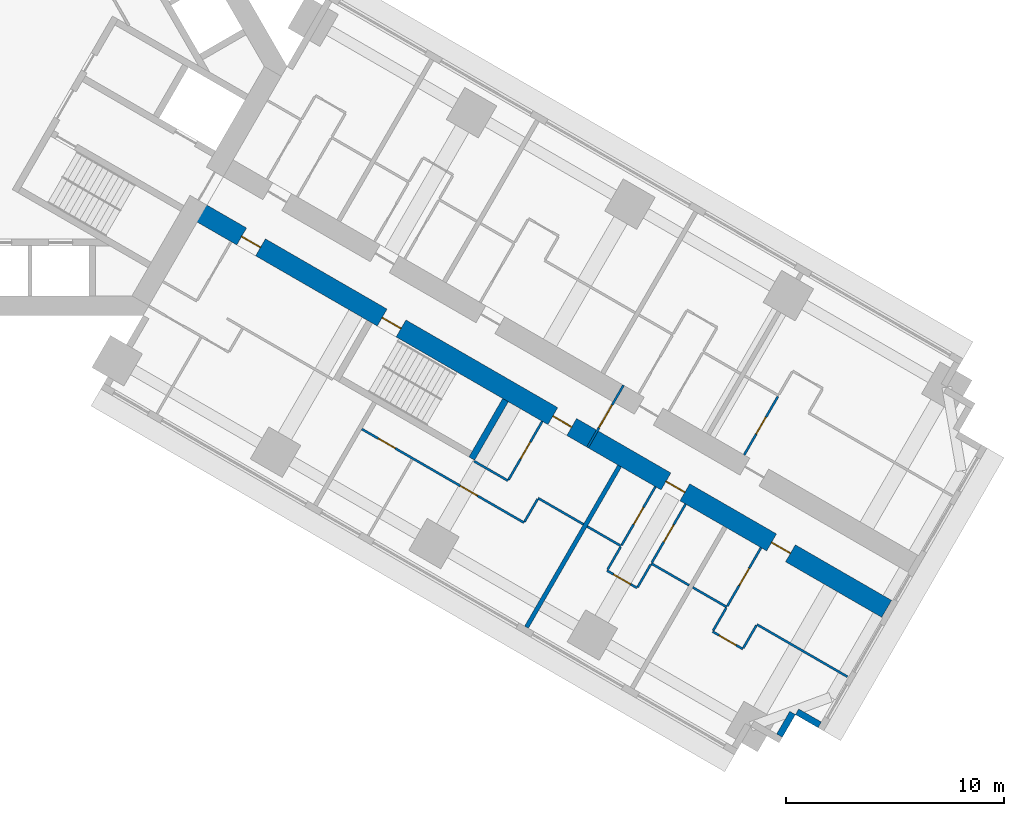
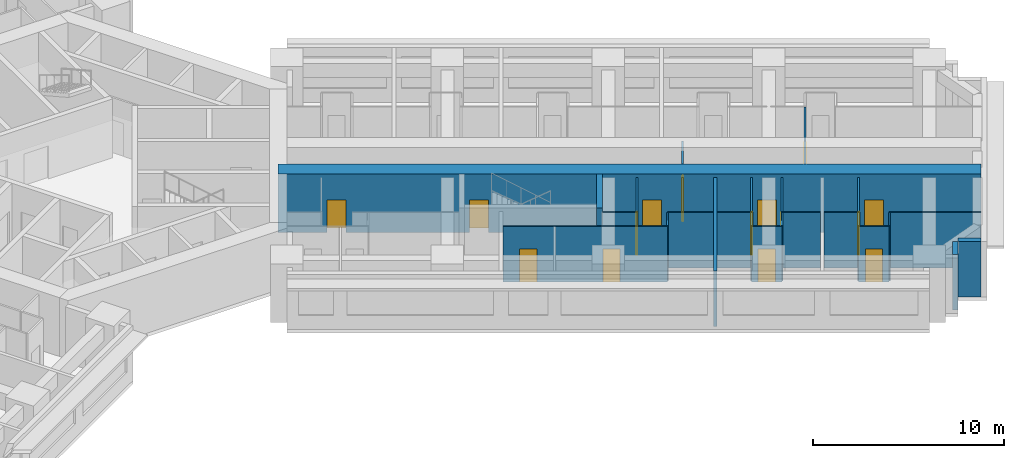
# One storey, part 12 of 17: 25 walls, 15 doors, 15 openings.
"""IFC4 building model written with IfcOpenShell, lengths in metres."""

from ifc_helpers import new_model, si_unit, direction, frame, frame_2d, origin, place, context, subcontext, project, spatial, rectangle, extrude, material, layer, layer_set, type_object, element, fill, save


model = new_model("IFC4")

# Units and contexts
model_context = context("Model", 3, precision=1e-05, world=origin(), true_north=direction((0.0, 1.0)))
body_context = subcontext(model_context, "Body", "Model", "MODEL_VIEW")
ifc_project = project(units=[si_unit("LENGTHUNIT", "METRE"), si_unit("AREAUNIT", "SQUARE_METRE"), si_unit("VOLUMEUNIT", "CUBIC_METRE"), si_unit("PLANEANGLEUNIT", "RADIAN"), si_unit("MASSUNIT", "GRAM", prefix="KILO")], contexts=[model_context])

# Site, building, storey
site_placement = place(None, origin())
site = spatial("IfcSite", under=ifc_project, at=site_placement, CompositionType="ELEMENT")
building_placement = place(site_placement, origin())
building = spatial("IfcBuilding", under=site, at=building_placement, Name="Impinga Residences", CompositionType="ELEMENT")
storey_placement = place(building_placement, frame((0.0, 0.0, 29.75)))
storey = spatial("IfcBuildingStorey", under=building, at=storey_placement, Name="L06", CompositionType="ELEMENT", Elevation=29.75)

# Wall, openings, doors
ifc_material_1 = material(Name="Concrete C70/85", Category="concrete")
ifc_layer_1 = layer(ifc_material_1, 0.89990234375)
ifc_layer_set_1 = layer_set([ifc_layer_1], Name="Concrete C70/85")
wall_type_1 = type_object("IfcWallType", Name="BW1 corridor buttress wall, L05 to L22 900", PredefinedType="SHEAR", material=ifc_layer_set_1)
wall_1_placement = place(storey_placement, frame((8.910400390625, -6.530029296875, 0.0), z_axis=(0.0, 0.0, 1.0), x_axis=(0.866025284237, -0.500000207062, 0.0)))
wall_1 = element("IfcWall", 1, at=wall_1_placement, inside=storey, type_object=wall_type_1, Name="Corridor wall BW1 ED L06", PredefinedType="SHEAR", context=body_context, shape_type="SweptSolid", body=[
    extrude(rectangle(XDim=36.75, YDim=0.89990234375, at=frame_2d((18.375, 0.0))), origin(), (0.0, 0.0, 1.0), 3.75),
])
opening_1_placement = place(wall_1_placement, frame((10.0, 0.0, 0.0)))
opening_1 = element("IfcOpeningElement", 2, at=opening_1_placement, cuts=wall_1, Name="Opening D5", PredefinedType="OPENING", context=body_context, shape_type="SweptSolid", body=[
    extrude(rectangle(XDim=1.0, YDim=2.10009765625, at=frame_2d((0.5, 1.050048828125))), frame((0.0, 0.4599609375, 0.0), z_axis=(0.0, -1.0, 0.0), x_axis=(1.0, 0.0, 0.0)), (0.0, 0.0, 1.0), 0.919921875),
])
opening_2_placement = place(wall_1_placement, frame((2.550048828125, 0.0, 0.0)))
opening_2 = element("IfcOpeningElement", 3, at=opening_2_placement, cuts=wall_1, Name="Opening D1", PredefinedType="OPENING", context=body_context, shape_type="SweptSolid", body=[
    extrude(rectangle(XDim=1.0, YDim=2.10009765625, at=frame_2d((0.5, 1.050048828125))), frame((0.0, 0.4599609375, 0.0), z_axis=(0.0, -1.0, 0.0), x_axis=(1.0, 0.0, 0.0)), (0.0, 0.0, 1.0), 0.919921875),
])
opening_3_placement = place(wall_1_placement, frame((19.050048828125, 0.0, 0.0)))
opening_3 = element("IfcOpeningElement", 4, at=opening_3_placement, cuts=wall_1, Name="Opening D1", PredefinedType="OPENING", context=body_context, shape_type="SweptSolid", body=[
    extrude(rectangle(XDim=1.0, YDim=2.10009765625, at=frame_2d((0.5, 1.050048828125))), frame((0.0, 0.4599609375, 0.0), z_axis=(0.0, -1.0, 0.0), x_axis=(1.0, 0.0, 0.0)), (0.0, 0.0, 1.0), 0.919921875),
])
opening_4_placement = place(wall_1_placement, frame((25.050048828125, 0.0, 0.0)))
opening_4 = element("IfcOpeningElement", 5, at=opening_4_placement, cuts=wall_1, Name="Opening D1", PredefinedType="OPENING", context=body_context, shape_type="SweptSolid", body=[
    extrude(rectangle(XDim=1.0, YDim=2.10009765625, at=frame_2d((0.5, 1.050048828125))), frame((0.0, 0.4599609375, 0.0), z_axis=(0.0, -1.0, 0.0), x_axis=(1.0, 0.0, 0.0)), (0.0, 0.0, 1.0), 0.919921875),
])
opening_5_placement = place(wall_1_placement, frame((30.64990234375, 0.0, 0.0)))
opening_5 = element("IfcOpeningElement", 6, at=opening_5_placement, cuts=wall_1, Name="Opening D1", PredefinedType="OPENING", context=body_context, shape_type="SweptSolid", body=[
    extrude(rectangle(XDim=1.0, YDim=2.10009765625, at=frame_2d((0.5, 1.050048828125))), frame((0.0, 0.4599609375, 0.0), z_axis=(0.0, -1.0, 0.0), x_axis=(1.0, 0.0, 0.0)), (0.0, 0.0, 1.0), 0.919921875),
])
ifc_material_2 = material(Name="Timber door set", Category="wood")
door_type_1 = type_object("IfcDoorType", Name="D1 apartment entrance door 1000x2100", OperationType="SINGLE_SWING_LEFT", PredefinedType="DOOR", material=ifc_material_2)
door_1_placement = place(opening_2_placement, origin())
door_1 = element("IfcDoor", 7, at=door_1_placement, inside=storey, type_object=door_type_1, Name="Apartment L06-EF1 entrance", OperationType="SINGLE_SWING_LEFT", OverallHeight=2.10009765625, OverallWidth=1.0, PredefinedType="DOOR", context=body_context, shape_type="SweptSolid", body=[
    extrude(rectangle(XDim=1.0, YDim=2.10009765625, at=frame_2d((0.5, 1.050048828125))), frame((0.0, 0.02490234375, 0.0), z_axis=(0.0, -1.0, 0.0), x_axis=(1.0, 0.0, 0.0)), (0.0, 0.0, 1.0), 0.050048828125),
])
fill(opening_2, door_1)
door_2_placement = place(opening_3_placement, origin())
door_2 = element("IfcDoor", 8, at=door_2_placement, inside=storey, type_object=door_type_1, Name="Apartment L06-EF2 entrance", OperationType="SINGLE_SWING_RIGHT", OverallHeight=2.10009765625, OverallWidth=1.0, PredefinedType="DOOR", context=body_context, shape_type="SweptSolid", body=[
    extrude(rectangle(XDim=1.0, YDim=2.10009765625, at=frame_2d((0.5, 1.050048828125))), frame((0.0, 0.02490234375, 0.0), z_axis=(0.0, -1.0, 0.0), x_axis=(1.0, 0.0, 0.0)), (0.0, 0.0, 1.0), 0.050048828125),
])
fill(opening_3, door_2)
door_3_placement = place(opening_4_placement, origin())
door_3 = element("IfcDoor", 9, at=door_3_placement, inside=storey, type_object=door_type_1, Name="Apartment L06-EF3 entrance", OperationType="SINGLE_SWING_RIGHT", OverallHeight=2.10009765625, OverallWidth=1.0, PredefinedType="DOOR", context=body_context, shape_type="SweptSolid", body=[
    extrude(rectangle(XDim=1.0, YDim=2.10009765625, at=frame_2d((0.5, 1.050048828125))), frame((0.0, 0.02490234375, 0.0), z_axis=(0.0, -1.0, 0.0), x_axis=(1.0, 0.0, 0.0)), (0.0, 0.0, 1.0), 0.050048828125),
])
fill(opening_4, door_3)
door_4_placement = place(opening_5_placement, origin())
door_4 = element("IfcDoor", 10, at=door_4_placement, inside=storey, type_object=door_type_1, Name="Apartment L06-EF4 entrance", OperationType="SINGLE_SWING_RIGHT", OverallHeight=2.10009765625, OverallWidth=1.0, PredefinedType="DOOR", context=body_context, shape_type="SweptSolid", body=[
    extrude(rectangle(XDim=1.0, YDim=2.10009765625, at=frame_2d((0.5, 1.050048828125))), frame((0.0, 0.02490234375, 0.0), z_axis=(0.0, -1.0, 0.0), x_axis=(1.0, 0.0, 0.0)), (0.0, 0.0, 1.0), 0.050048828125),
])
fill(opening_5, door_4)
door_type_2 = type_object("IfcDoorType", Name="D5 stair door 1000x2100", OperationType="SINGLE_SWING_LEFT", PredefinedType="DOOR", material=ifc_material_2)
door_5_placement = place(opening_1_placement, origin())
door_5 = element("IfcDoor", 11, at=door_5_placement, inside=storey, type_object=door_type_2, Name="Wing stair door E", OperationType="SINGLE_SWING_LEFT", OverallHeight=2.10009765625, OverallWidth=1.0, PredefinedType="DOOR", context=body_context, shape_type="SweptSolid", body=[
    extrude(rectangle(XDim=1.0, YDim=2.10009765625, at=frame_2d((0.5, 1.050048828125))), frame((0.0, 0.02490234375, 0.0), z_axis=(0.0, -1.0, 0.0), x_axis=(1.0, 0.0, 0.0)), (0.0, 0.0, 1.0), 0.050048828125),
])
fill(opening_1, door_5)

# Wall, opening, door
ifc_material_3 = material(Name="Concrete blockwork", Category="masonry")
ifc_layer_2 = layer(ifc_material_3, 0.10009765625)
ifc_layer_set_2 = layer_set([ifc_layer_2], Name="CP1 core room partition, blockwork 100")
wall_type_2 = type_object("IfcWallType", Name="CP1 core room partition, blockwork 100", PredefinedType="PARTITIONING", material=ifc_layer_set_2)
wall_2_placement = place(storey_placement, frame((28.652099609375, -14.636962890625, 0.0), z_axis=(0.0, 0.0, 1.0), x_axis=(-0.499974350878, -0.866040211805, 0.0)))
wall_2 = element("IfcWall", 12, at=wall_2_placement, inside=storey, type_object=wall_type_2, Name="Core room partition, blockwork L06:E:SCR", PredefinedType="PARTITIONING", context=body_context, shape_type="SweptSolid", body=[
    extrude(rectangle(XDim=3.300048828125, YDim=0.10009765625, at=frame_2d((1.64990234375, 0.0))), origin(), (0.0, 0.0, 1.0), 3.530029296875),
])
opening_6_placement = place(wall_2_placement, frame((1.050048828125, 0.0, 0.0)))
opening_6 = element("IfcOpeningElement", 13, at=opening_6_placement, cuts=wall_2, Name="Opening D3", PredefinedType="OPENING", context=body_context, shape_type="SweptSolid", body=[
    extrude(rectangle(XDim=1.199951171875, YDim=2.10009765625, at=frame_2d((0.60009765625, 1.050048828125))), frame((0.0, 0.06005859375, 0.0), z_axis=(0.0, -1.0, 0.0), x_axis=(1.0, 0.0, 0.0)), (0.0, 0.0, 1.0), 0.1201171875),
])
door_type_3 = type_object("IfcDoorType", Name="D3 room door, leaf and a half 1200x2100", OperationType="DOUBLE_SWING_LEFT", PredefinedType="DOOR", material=ifc_material_2)
door_6_placement = place(opening_6_placement, origin())
door_6 = element("IfcDoor", 14, at=door_6_placement, inside=storey, type_object=door_type_3, Name="Corridor smoke door E", OperationType="DOUBLE_SWING_LEFT", OverallHeight=2.10009765625, OverallWidth=1.199951171875, PredefinedType="DOOR", context=body_context, shape_type="SweptSolid", body=[
    extrude(rectangle(XDim=1.199951171875, YDim=2.10009765625, at=frame_2d((0.60009765625, 1.050048828125))), frame((0.0, 0.02490234375, 0.0), z_axis=(0.0, -1.0, 0.0), x_axis=(1.0, 0.0, 0.0)), (0.0, 0.0, 1.0), 0.050048828125),
])
fill(opening_6, door_6)

# Walls
ifc_material_4 = material(Name="Terracotta rainscreen on blockwork", Category="masonry")
ifc_layer_3 = layer(ifc_material_4, 0.300048828125)
ifc_layer_set_3 = layer_set([ifc_layer_3], Name="EW1 external wall, terracotta rainscreen on blockwork 300")
wall_type_3 = type_object("IfcWallType", Name="EW1 external wall, terracotta rainscreen on blockwork 300", PredefinedType="SOLIDWALL", material=ifc_layer_set_3)
wall_3_placement = place(storey_placement, frame((37.66162109375, -30.23095703125, 0.0), z_axis=(0.0, 0.0, 1.0), x_axis=(-0.866059708757, 0.499940577336, 0.0)))
element("IfcWall", 15, at=wall_3_placement, inside=storey, type_object=wall_type_3, Name="External wall EW1 L06", PredefinedType="SOLIDWALL", context=body_context, shape_type="SweptSolid", body=[
    extrude(rectangle(XDim=1.195068359375, YDim=0.300048828125, at=frame_2d((0.59765625, 0.0))), origin(), (0.0, 0.0, 1.0), 3.530029296875),
])
wall_4_placement = place(storey_placement, frame((36.41748046875, -29.68603515625, 0.0), z_axis=(0.0, 0.0, 1.0), x_axis=(-0.499969057507, -0.866043267704, 0.0)))
element("IfcWall", 16, at=wall_4_placement, inside=storey, type_object=wall_type_3, Name="External wall EW1 L06", PredefinedType="SOLIDWALL", context=body_context, shape_type="SweptSolid", body=[
    extrude(rectangle(XDim=1.19970703125, YDim=0.300048828125, at=frame_2d((0.599853515625, 0.0))), origin(), (0.0, 0.0, 1.0), 3.530029296875),
])

# Wall, opening, door
ifc_material_5 = material(Name="Gypsum board on steel studs", Category="steel")
ifc_layer_4 = layer(ifc_material_5, 0.10009765625)
ifc_layer_set_4 = layer_set([ifc_layer_4], Name="Gypsum board on steel studs")
wall_type_4 = type_object("IfcWallType", Name="IP1 partition 100", PredefinedType="PARTITIONING", material=ifc_layer_set_4)
wall_5_placement = place(storey_placement, frame((34.1943359375, -17.8369140625, 0.0), z_axis=(0.0, 0.0, 1.0), x_axis=(0.49999285859, 0.86602952684, 0.0)))
wall_5 = element("IfcWall", 17, at=wall_5_placement, inside=storey, type_object=wall_type_4, Name="Partition L06-EA5:IB1", PredefinedType="PARTITIONING", context=body_context, shape_type="SweptSolid", body=[
    extrude(rectangle(XDim=3.10009765625, YDim=0.10009765625, at=frame_2d((1.550048828125, 0.0))), origin(), (0.0, 0.0, 1.0), 3.530029296875),
])
opening_7_placement = place(wall_5_placement, frame((1.10009765625, 0.0, 0.0)))
opening_7 = element("IfcOpeningElement", 18, at=opening_7_placement, cuts=wall_5, Name="Opening D2", PredefinedType="OPENING", context=body_context, shape_type="SweptSolid", body=[
    extrude(rectangle(XDim=0.89990234375, YDim=2.10009765625, at=frame_2d((0.449951171875, 1.050048828125))), frame((0.0, 0.06005859375, 0.0), z_axis=(0.0, -1.0, 0.0), x_axis=(1.0, 0.0, 0.0)), (0.0, 0.0, 1.0), 0.1201171875),
])
door_type_4 = type_object("IfcDoorType", Name="D2 internal door 900x2100", OperationType="SINGLE_SWING_LEFT", PredefinedType="DOOR", material=ifc_material_2)
door_7_placement = place(opening_7_placement, origin())
door_7 = element("IfcDoor", 19, at=door_7_placement, inside=storey, type_object=door_type_4, Name="Apartment L06-EA5 bathroom door", OperationType="SINGLE_SWING_LEFT", OverallHeight=2.10009765625, OverallWidth=0.89990234375, PredefinedType="DOOR", context=body_context, shape_type="SweptSolid", body=[
    extrude(rectangle(XDim=0.89990234375, YDim=2.10009765625, at=frame_2d((0.449951171875, 1.050048828125))), frame((0.0, 0.02490234375, 0.0), z_axis=(0.0, -1.0, 0.0), x_axis=(1.0, 0.0, 0.0)), (0.0, 0.0, 1.0), 0.050048828125),
])
fill(opening_7, door_7)

# Walls
wall_6_placement = place(storey_placement, frame((21.789306640625, -18.122802734375, 0.0), z_axis=(0.0, 0.0, 1.0), x_axis=(0.866047807691, -0.499961193289, 0.0)))
element("IfcWall", 20, at=wall_6_placement, inside=storey, type_object=wall_type_4, Name="Partition L06-EF2:DIV0", PredefinedType="PARTITIONING", context=body_context, shape_type="SweptSolid", body=[
    extrude(rectangle(XDim=1.800048828125, YDim=0.10009765625, at=frame_2d((0.89990234375, 0.0))), origin(), (0.0, 0.0, 1.0), 3.530029296875),
])
wall_7_placement = place(storey_placement, frame((24.73388671875, -19.82275390625, 0.0), z_axis=(0.0, 0.0, 1.0), x_axis=(0.866024647952, -0.500001309137, 0.0)))
element("IfcWall", 21, at=wall_7_placement, inside=storey, type_object=wall_type_4, Name="Partition L06-EF2:DIV1", PredefinedType="PARTITIONING", context=body_context, shape_type="SweptSolid", body=[
    extrude(rectangle(XDim=2.39990234375, YDim=0.10009765625, at=frame_2d((1.199951171875, 0.0))), origin(), (0.0, 0.0, 1.0), 3.530029296875),
])

# Wall, openings, doors
wall_8_placement = place(storey_placement, frame((16.635986328125, -16.6484375, 0.0), z_axis=(0.0, 0.0, 1.0), x_axis=(0.866028165386, -0.499995216735, 0.0)))
wall_8 = element("IfcWall", 22, at=wall_8_placement, inside=storey, type_object=wall_type_4, Name="Partition L06-EF2:STRIP", PredefinedType="PARTITIONING", context=body_context, shape_type="SweptSolid", body=[
    extrude(rectangle(XDim=8.60009765625, YDim=0.10009765625, at=frame_2d((4.300048828125, 0.0))), origin(), (0.0, 0.0, 1.0), 3.530029296875),
])
opening_8_placement = place(wall_8_placement, frame((0.875, 0.0, 0.0)))
opening_8 = element("IfcOpeningElement", 23, at=opening_8_placement, cuts=wall_8, Name="Opening D2", PredefinedType="OPENING", context=body_context, shape_type="SweptSolid", body=[
    extrude(rectangle(XDim=0.89990234375, YDim=2.10009765625, at=frame_2d((0.449951171875, 1.050048828125))), frame((0.0, 0.06005859375, 0.0), z_axis=(0.0, -1.0, 0.0), x_axis=(1.0, 0.0, 0.0)), (0.0, 0.0, 1.0), 0.1201171875),
])
opening_9_placement = place(wall_8_placement, frame((5.22509765625, 0.0, 0.0)))
opening_9 = element("IfcOpeningElement", 24, at=opening_9_placement, cuts=wall_8, Name="Opening D2", PredefinedType="OPENING", context=body_context, shape_type="SweptSolid", body=[
    extrude(rectangle(XDim=0.89990234375, YDim=2.10009765625, at=frame_2d((0.449951171875, 1.050048828125))), frame((0.0, 0.06005859375, 0.0), z_axis=(0.0, -1.0, 0.0), x_axis=(1.0, 0.0, 0.0)), (0.0, 0.0, 1.0), 0.1201171875),
])
door_8_placement = place(opening_8_placement, origin())
door_8 = element("IfcDoor", 25, at=door_8_placement, inside=storey, type_object=door_type_4, Name="Apartment L06-EF2 room door", OperationType="SINGLE_SWING_LEFT", OverallHeight=2.10009765625, OverallWidth=0.89990234375, PredefinedType="DOOR", context=body_context, shape_type="SweptSolid", body=[
    extrude(rectangle(XDim=0.89990234375, YDim=2.10009765625, at=frame_2d((0.449951171875, 1.050048828125))), frame((0.0, 0.02490234375, 0.0), z_axis=(0.0, -1.0, 0.0), x_axis=(1.0, 0.0, 0.0)), (0.0, 0.0, 1.0), 0.050048828125),
])
fill(opening_8, door_8)
door_9_placement = place(opening_9_placement, origin())
door_9 = element("IfcDoor", 26, at=door_9_placement, inside=storey, type_object=door_type_4, Name="Apartment L06-EF2 room door", OperationType="SINGLE_SWING_RIGHT", OverallHeight=2.10009765625, OverallWidth=0.89990234375, PredefinedType="DOOR", context=body_context, shape_type="SweptSolid", body=[
    extrude(rectangle(XDim=0.89990234375, YDim=2.10009765625, at=frame_2d((0.449951171875, 1.050048828125))), frame((0.0, 0.02490234375, 0.0), z_axis=(0.0, -1.0, 0.0), x_axis=(1.0, 0.0, 0.0)), (0.0, 0.0, 1.0), 0.050048828125),
])
fill(opening_9, door_9)

# Wall
wall_9_placement = place(storey_placement, frame((24.708984375, -19.865966796875, 0.0), z_axis=(0.0, 0.0, 1.0), x_axis=(-0.500033551112, -0.866006032174, 0.0)))
element("IfcWall", 27, at=wall_9_placement, inside=storey, type_object=wall_type_4, Name="Partition L06-EF2:SE1", PredefinedType="PARTITIONING", context=body_context, shape_type="SweptSolid", body=[
    extrude(rectangle(XDim=1.2001953125, YDim=0.10009765625, at=frame_2d((0.60009765625, 0.0))), origin(), (0.0, 0.0, 1.0), 3.530029296875),
])

# Wall, opening, door
wall_10_placement = place(storey_placement, frame((24.92333984375, -16.294677734375, 0.0), z_axis=(0.0, 0.0, 1.0), x_axis=(-0.49999285859, -0.86602952684, 0.0)))
wall_10 = element("IfcWall", 28, at=wall_10_placement, inside=storey, type_object=wall_type_4, Name="Partition L06-EF2:IB1", PredefinedType="PARTITIONING", context=body_context, shape_type="SweptSolid", body=[
    extrude(rectangle(XDim=3.10009765625, YDim=0.10009765625, at=frame_2d((1.550048828125, 0.0))), origin(), (0.0, 0.0, 1.0), 3.530029296875),
])
opening_10_placement = place(wall_10_placement, frame((1.10009765625, 0.0, 0.0)))
opening_10 = element("IfcOpeningElement", 29, at=opening_10_placement, cuts=wall_10, Name="Opening D2", PredefinedType="OPENING", context=body_context, shape_type="SweptSolid", body=[
    extrude(rectangle(XDim=0.89990234375, YDim=2.10009765625, at=frame_2d((0.449951171875, 1.050048828125))), frame((0.0, 0.06005859375, 0.0), z_axis=(0.0, -1.0, 0.0), x_axis=(1.0, 0.0, 0.0)), (0.0, 0.0, 1.0), 0.1201171875),
])
door_10_placement = place(opening_10_placement, origin())
door_10 = element("IfcDoor", 30, at=door_10_placement, inside=storey, type_object=door_type_4, Name="Apartment L06-EF2 bathroom door", OperationType="SINGLE_SWING_LEFT", OverallHeight=2.10009765625, OverallWidth=0.89990234375, PredefinedType="DOOR", context=body_context, shape_type="SweptSolid", body=[
    extrude(rectangle(XDim=0.89990234375, YDim=2.10009765625, at=frame_2d((0.449951171875, 1.050048828125))), frame((0.0, 0.02490234375, 0.0), z_axis=(0.0, -1.0, 0.0), x_axis=(1.0, 0.0, 0.0)), (0.0, 0.0, 1.0), 0.050048828125),
])
fill(opening_10, door_10)

# Walls
wall_11_placement = place(storey_placement, frame((26.985595703125, -21.122802734375, 0.0), z_axis=(0.0, 0.0, 1.0), x_axis=(0.866047807691, -0.499961193289, 0.0)))
element("IfcWall", 31, at=wall_11_placement, inside=storey, type_object=wall_type_4, Name="Partition L06-EF3:DIV0", PredefinedType="PARTITIONING", context=body_context, shape_type="SweptSolid", body=[
    extrude(rectangle(XDim=1.800048828125, YDim=0.10009765625, at=frame_2d((0.89990234375, 0.0))), origin(), (0.0, 0.0, 1.0), 3.530029296875),
])
wall_12_placement = place(storey_placement, frame((29.93017578125, -22.82275390625, 0.0), z_axis=(0.0, 0.0, 1.0), x_axis=(0.866010750942, -0.50002537861, 0.0)))
element("IfcWall", 32, at=wall_12_placement, inside=storey, type_object=wall_type_4, Name="Partition L06-EF3:DIV1", PredefinedType="PARTITIONING", context=body_context, shape_type="SweptSolid", body=[
    extrude(rectangle(XDim=2.0, YDim=0.10009765625, at=frame_2d((1.0, 0.0))), origin(), (0.0, 0.0, 1.0), 3.530029296875),
])

# Wall, opening, door
wall_13_placement = place(storey_placement, frame((27.89453125, -23.1484375, 0.0), z_axis=(0.0, 0.0, 1.0), x_axis=(0.865989903783, -0.500061482766, 0.0)))
wall_13 = element("IfcWall", 33, at=wall_13_placement, inside=storey, type_object=wall_type_4, Name="Partition L06-EF3:STRIP", PredefinedType="PARTITIONING", context=body_context, shape_type="SweptSolid", body=[
    extrude(rectangle(XDim=1.599853515625, YDim=0.10009765625, at=frame_2d((0.7998046875, 0.0))), origin(), (0.0, 0.0, 1.0), 3.530029296875),
])
opening_11_placement = place(wall_13_placement, frame((0.35009765625, 0.0, 0.0)))
opening_11 = element("IfcOpeningElement", 34, at=opening_11_placement, cuts=wall_13, Name="Opening D2", PredefinedType="OPENING", context=body_context, shape_type="SweptSolid", body=[
    extrude(rectangle(XDim=0.89990234375, YDim=2.10009765625, at=frame_2d((0.449951171875, 1.050048828125))), frame((0.0, 0.06005859375, 0.0), z_axis=(0.0, -1.0, 0.0), x_axis=(1.0, 0.0, 0.0)), (0.0, 0.0, 1.0), 0.1201171875),
])
door_11_placement = place(opening_11_placement, origin())
door_11 = element("IfcDoor", 35, at=door_11_placement, inside=storey, type_object=door_type_4, Name="Apartment L06-EF3 room door", OperationType="SINGLE_SWING_LEFT", OverallHeight=2.10009765625, OverallWidth=0.89990234375, PredefinedType="DOOR", context=body_context, shape_type="SweptSolid", body=[
    extrude(rectangle(XDim=0.89990234375, YDim=2.10009765625, at=frame_2d((0.449951171875, 1.050048828125))), frame((0.0, 0.02490234375, 0.0), z_axis=(0.0, -1.0, 0.0), x_axis=(1.0, 0.0, 0.0)), (0.0, 0.0, 1.0), 0.050048828125),
])
fill(opening_11, door_11)

# Walls
wall_14_placement = place(storey_placement, frame((28.51953125, -22.06591796875, 0.0), z_axis=(0.0, 0.0, 1.0), x_axis=(-0.500033551112, -0.866006032174, 0.0)))
element("IfcWall", 36, at=wall_14_placement, inside=storey, type_object=wall_type_4, Name="Partition L06-EF3:SE0", PredefinedType="PARTITIONING", context=body_context, shape_type="SweptSolid", body=[
    extrude(rectangle(XDim=1.2001953125, YDim=0.10009765625, at=frame_2d((0.60009765625, 0.0))), origin(), (0.0, 0.0, 1.0), 3.530029296875),
])
wall_15_placement = place(storey_placement, frame((29.905029296875, -22.865966796875, 0.0), z_axis=(0.0, 0.0, 1.0), x_axis=(-0.499880961361, -0.866094119867, 0.0)))
element("IfcWall", 37, at=wall_15_placement, inside=storey, type_object=wall_type_4, Name="Partition L06-EF3:SE1", PredefinedType="PARTITIONING", context=body_context, shape_type="SweptSolid", body=[
    extrude(rectangle(XDim=1.199951171875, YDim=0.10009765625, at=frame_2d((0.60009765625, 0.0))), origin(), (0.0, 0.0, 1.0), 3.530029296875),
])

# Wall, opening, door
wall_16_placement = place(storey_placement, frame((30.119384765625, -19.294677734375, 0.0), z_axis=(0.0, 0.0, 1.0), x_axis=(-0.49999285859, -0.86602952684, 0.0)))
wall_16 = element("IfcWall", 38, at=wall_16_placement, inside=storey, type_object=wall_type_4, Name="Partition L06-EF3:IB1", PredefinedType="PARTITIONING", context=body_context, shape_type="SweptSolid", body=[
    extrude(rectangle(XDim=3.10009765625, YDim=0.10009765625, at=frame_2d((1.550048828125, 0.0))), origin(), (0.0, 0.0, 1.0), 3.530029296875),
])
opening_12_placement = place(wall_16_placement, frame((1.10009765625, 0.0, 0.0)))
opening_12 = element("IfcOpeningElement", 39, at=opening_12_placement, cuts=wall_16, Name="Opening D2", PredefinedType="OPENING", context=body_context, shape_type="SweptSolid", body=[
    extrude(rectangle(XDim=0.89990234375, YDim=2.10009765625, at=frame_2d((0.449951171875, 1.050048828125))), frame((0.0, 0.06005859375, 0.0), z_axis=(0.0, -1.0, 0.0), x_axis=(1.0, 0.0, 0.0)), (0.0, 0.0, 1.0), 0.1201171875),
])
door_12_placement = place(opening_12_placement, origin())
door_12 = element("IfcDoor", 40, at=door_12_placement, inside=storey, type_object=door_type_4, Name="Apartment L06-EF3 bathroom door", OperationType="SINGLE_SWING_LEFT", OverallHeight=2.10009765625, OverallWidth=0.89990234375, PredefinedType="DOOR", context=body_context, shape_type="SweptSolid", body=[
    extrude(rectangle(XDim=0.89990234375, YDim=2.10009765625, at=frame_2d((0.449951171875, 1.050048828125))), frame((0.0, 0.02490234375, 0.0), z_axis=(0.0, -1.0, 0.0), x_axis=(1.0, 0.0, 0.0)), (0.0, 0.0, 1.0), 0.050048828125),
])
fill(opening_12, door_12)

wall_17_placement = place(storey_placement, frame((31.505126953125, -20.0947265625, 0.0), z_axis=(0.0, 0.0, 1.0), x_axis=(-0.500026960575, -0.86600983753, 0.0)))
wall_17 = element("IfcWall", 41, at=wall_17_placement, inside=storey, type_object=wall_type_4, Name="Partition L06-EF3:IB2", PredefinedType="PARTITIONING", context=body_context, shape_type="SweptSolid", body=[
    extrude(rectangle(XDim=3.099853515625, YDim=0.10009765625, at=frame_2d((1.5498046875, 0.0))), origin(), (0.0, 0.0, 1.0), 3.530029296875),
])
opening_13_placement = place(wall_17_placement, frame((1.10009765625, 0.0, 0.0)))
opening_13 = element("IfcOpeningElement", 42, at=opening_13_placement, cuts=wall_17, Name="Opening D2", PredefinedType="OPENING", context=body_context, shape_type="SweptSolid", body=[
    extrude(rectangle(XDim=0.89990234375, YDim=2.10009765625, at=frame_2d((0.449951171875, 1.050048828125))), frame((0.0, 0.06005859375, 0.0), z_axis=(0.0, -1.0, 0.0), x_axis=(1.0, 0.0, 0.0)), (0.0, 0.0, 1.0), 0.1201171875),
])
door_13_placement = place(opening_13_placement, origin())
door_13 = element("IfcDoor", 43, at=door_13_placement, inside=storey, type_object=door_type_4, Name="Apartment L06-EF3 WC door", OperationType="SINGLE_SWING_LEFT", OverallHeight=2.10009765625, OverallWidth=0.89990234375, PredefinedType="DOOR", context=body_context, shape_type="SweptSolid", body=[
    extrude(rectangle(XDim=0.89990234375, YDim=2.10009765625, at=frame_2d((0.449951171875, 1.050048828125))), frame((0.0, 0.02490234375, 0.0), z_axis=(0.0, -1.0, 0.0), x_axis=(1.0, 0.0, 0.0)), (0.0, 0.0, 1.0), 0.050048828125),
])
fill(opening_13, door_13)

# Walls
wall_18_placement = place(storey_placement, frame((31.835205078125, -23.922607421875, 0.0), z_axis=(0.0, 0.0, 1.0), x_axis=(0.865989075817, -0.500062916607, 0.0)))
element("IfcWall", 44, at=wall_18_placement, inside=storey, type_object=wall_type_4, Name="Partition L06-EF4:DIV0", PredefinedType="PARTITIONING", context=body_context, shape_type="SweptSolid", body=[
    extrude(rectangle(XDim=1.800048828125, YDim=0.10009765625, at=frame_2d((0.89990234375, 0.0))), origin(), (0.0, 0.0, 1.0), 3.530029296875),
])
wall_19_placement = place(storey_placement, frame((34.77978515625, -25.622802734375, 0.0), z_axis=(0.0, 0.0, 1.0), x_axis=(0.866037363387, -0.499979284789, 0.0)))
element("IfcWall", 45, at=wall_19_placement, inside=storey, type_object=wall_type_4, Name="Partition L06-EF4:DIV1", PredefinedType="PARTITIONING", context=body_context, shape_type="SweptSolid", body=[
    extrude(rectangle(XDim=4.800048828125, YDim=0.10009765625, at=frame_2d((2.39990234375, 0.0))), origin(), (0.0, 0.0, 1.0), 3.530029296875),
])

# Wall, opening, door
wall_20_placement = place(storey_placement, frame((32.744140625, -25.948486328125, 0.0), z_axis=(0.0, 0.0, 1.0), x_axis=(0.866028054938, -0.499995408039, 0.0)))
wall_20 = element("IfcWall", 46, at=wall_20_placement, inside=storey, type_object=wall_type_4, Name="Partition L06-EF4:STRIP", PredefinedType="PARTITIONING", context=body_context, shape_type="SweptSolid", body=[
    extrude(rectangle(XDim=1.60009765625, YDim=0.10009765625, at=frame_2d((0.800048828125, 0.0))), origin(), (0.0, 0.0, 1.0), 3.530029296875),
])
opening_14_placement = place(wall_20_placement, frame((0.35009765625, 0.0, 0.0)))
opening_14 = element("IfcOpeningElement", 47, at=opening_14_placement, cuts=wall_20, Name="Opening D2", PredefinedType="OPENING", context=body_context, shape_type="SweptSolid", body=[
    extrude(rectangle(XDim=0.89990234375, YDim=2.10009765625, at=frame_2d((0.449951171875, 1.050048828125))), frame((0.0, 0.06005859375, 0.0), z_axis=(0.0, -1.0, 0.0), x_axis=(1.0, 0.0, 0.0)), (0.0, 0.0, 1.0), 0.1201171875),
])
door_14_placement = place(opening_14_placement, origin())
door_14 = element("IfcDoor", 48, at=door_14_placement, inside=storey, type_object=door_type_4, Name="Apartment L06-EF4 room door", OperationType="SINGLE_SWING_LEFT", OverallHeight=2.10009765625, OverallWidth=0.89990234375, PredefinedType="DOOR", context=body_context, shape_type="SweptSolid", body=[
    extrude(rectangle(XDim=0.89990234375, YDim=2.10009765625, at=frame_2d((0.449951171875, 1.050048828125))), frame((0.0, 0.02490234375, 0.0), z_axis=(0.0, -1.0, 0.0), x_axis=(1.0, 0.0, 0.0)), (0.0, 0.0, 1.0), 0.050048828125),
])
fill(opening_14, door_14)

# Walls
for number, where, z_axis, x_axis, name in (
    (49, (33.369140625, -24.865966796875, 0.0), (0.0, 0.0, 1.0), (-0.500033551112, -0.866006032174, 0.0), "Partition L06-EF4:SE0"),
    (50, (34.7548828125, -25.666015625, 0.0), (0.0, 0.0, 1.0), (-0.500033551112, -0.866006032174, 0.0), "Partition L06-EF4:SE1"),
):
    element("IfcWall", number, at=place(storey_placement, frame(where, z_axis=z_axis, x_axis=x_axis)), inside=storey, type_object=wall_type_4, Name=name, PredefinedType="PARTITIONING", context=body_context, shape_type="SweptSolid", body=[
        extrude(rectangle(XDim=1.2001953125, YDim=0.10009765625, at=frame_2d((0.60009765625, 0.0))), origin(), (0.0, 0.0, 1.0), 3.530029296875),
    ])

# Wall, opening, door
wall_21_placement = place(storey_placement, frame((34.96923828125, -22.0947265625, 0.0), z_axis=(0.0, 0.0, 1.0), x_axis=(-0.500026960575, -0.86600983753, 0.0)))
wall_21 = element("IfcWall", 51, at=wall_21_placement, inside=storey, type_object=wall_type_4, Name="Partition L06-EF4:IB1", PredefinedType="PARTITIONING", context=body_context, shape_type="SweptSolid", body=[
    extrude(rectangle(XDim=3.099853515625, YDim=0.10009765625, at=frame_2d((1.5498046875, 0.0))), origin(), (0.0, 0.0, 1.0), 3.530029296875),
])
opening_15_placement = place(wall_21_placement, frame((1.10009765625, 0.0, 0.0)))
opening_15 = element("IfcOpeningElement", 52, at=opening_15_placement, cuts=wall_21, Name="Opening D2", PredefinedType="OPENING", context=body_context, shape_type="SweptSolid", body=[
    extrude(rectangle(XDim=0.89990234375, YDim=2.10009765625, at=frame_2d((0.449951171875, 1.050048828125))), frame((0.0, 0.06005859375, 0.0), z_axis=(0.0, -1.0, 0.0), x_axis=(1.0, 0.0, 0.0)), (0.0, 0.0, 1.0), 0.1201171875),
])
door_15_placement = place(opening_15_placement, origin())
door_15 = element("IfcDoor", 53, at=door_15_placement, inside=storey, type_object=door_type_4, Name="Apartment L06-EF4 bathroom door", OperationType="SINGLE_SWING_LEFT", OverallHeight=2.10009765625, OverallWidth=0.89990234375, PredefinedType="DOOR", context=body_context, shape_type="SweptSolid", body=[
    extrude(rectangle(XDim=0.89990234375, YDim=2.10009765625, at=frame_2d((0.449951171875, 1.050048828125))), frame((0.0, 0.02490234375, 0.0), z_axis=(0.0, -1.0, 0.0), x_axis=(1.0, 0.0, 0.0)), (0.0, 0.0, 1.0), 0.050048828125),
])
fill(opening_15, door_15)

# Walls
ifc_layer_5 = layer(ifc_material_3, 0.199951171875)
ifc_layer_set_5 = layer_set([ifc_layer_5], Name="PW1 party wall between apartments 200")
wall_type_5 = type_object("IfcWallType", Name="PW1 party wall between apartments 200", PredefinedType="SOLIDWALL", material=ifc_layer_set_5)
wall_22_placement = place(storey_placement, frame((28.473876953125, -18.3447265625, 0.0), z_axis=(0.0, 0.0, 1.0), x_axis=(-0.499990227581, -0.86603104582, 0.0)))
element("IfcWall", 54, at=wall_22_placement, inside=storey, type_object=wall_type_5, Name="Party wall between apartments L06-EF2:PARTY", PredefinedType="SOLIDWALL", context=body_context, shape_type="SweptSolid", body=[
    extrude(rectangle(XDim=8.550048828125, YDim=0.199951171875, at=frame_2d((4.27490234375, 0.0))), origin(), (0.0, 0.0, 1.0), 3.530029296875),
])
ifc_material_6 = material(Name="Concrete C60/75", Category="concrete")
ifc_layer_6 = layer(ifc_material_6, 0.300048828125)
ifc_layer_set_6 = layer_set([ifc_layer_6], Name="Concrete C60/75")
wall_type_6 = type_object("IfcWallType", Name="SE1 wing stair enclosure wall 300", PredefinedType="SOLIDWALL", material=ifc_layer_set_6)
wall_23_placement = place(storey_placement, frame((23.234619140625, -15.31982421875, 0.0), z_axis=(0.0, 0.0, 1.0), x_axis=(-0.500026960575, -0.86600983753, 0.0)))
element("IfcWall", 55, at=wall_23_placement, inside=storey, type_object=wall_type_6, Name="Stair enclosure wall SE1 E END1 L06", PredefinedType="SOLIDWALL", context=body_context, shape_type="SweptSolid", body=[
    extrude(rectangle(XDim=3.099853515625, YDim=0.300048828125, at=frame_2d((1.5498046875, 0.0))), origin(), (0.0, 0.0, 1.0), 3.75),
])

save(model, "model.ifc")
